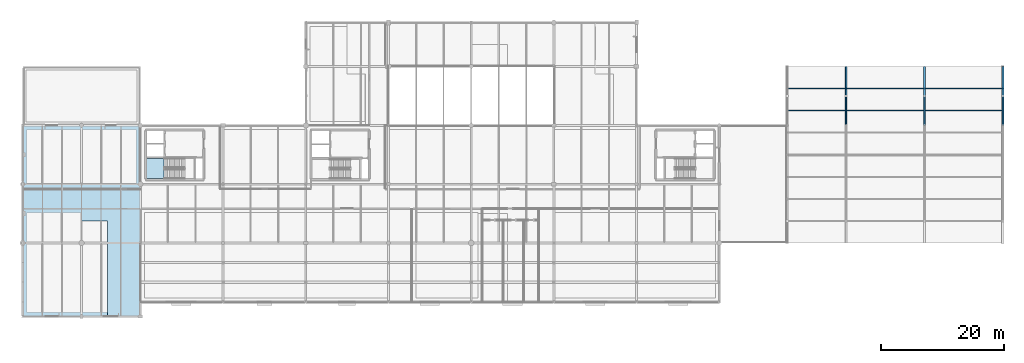
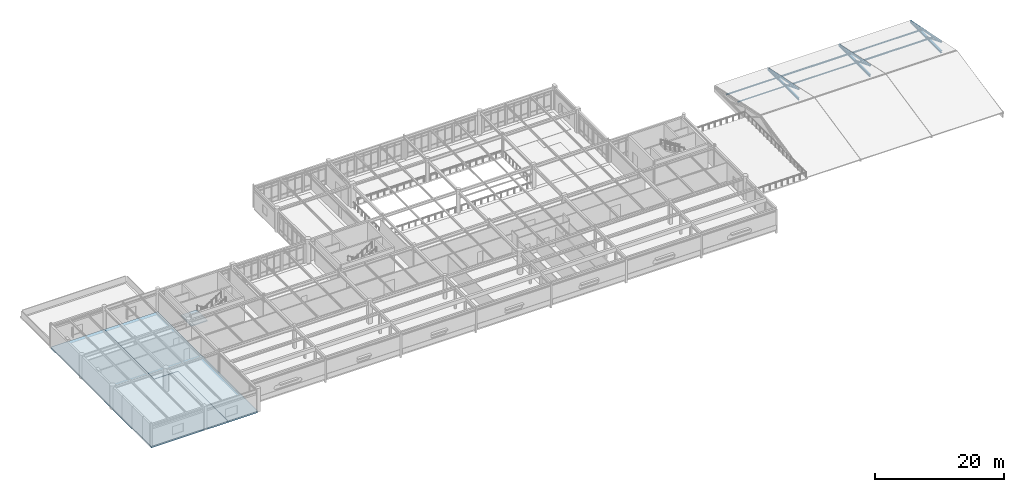
# One storey, part 37 of 61: 15 members, 3 slabs, 1 element without a shape of its own.
"""IFC4 building model written with IfcOpenShell, lengths in metres."""

from ifc_helpers import new_model, si_unit, direction, frame, origin, origin_2d, place, context, subcontext, project, spatial, polyline, hollow_rectangle, i_section, outline, extrude, material, layer, layer_set, material_profile, profile_set, type_object, element, aggregate, save


model = new_model("IFC4")

# Units and contexts
model_context = context("Model", 3, precision=1e-05, world=origin(), true_north=direction((0.0, 1.0)))
body_context = subcontext(model_context, "Body", "Model", "MODEL_VIEW")
ifc_project = project(units=[si_unit("LENGTHUNIT", "METRE"), si_unit("AREAUNIT", "SQUARE_METRE"), si_unit("VOLUMEUNIT", "CUBIC_METRE"), si_unit("PLANEANGLEUNIT", "RADIAN"), si_unit("MASSUNIT", "GRAM", prefix="KILO")], contexts=[model_context])

# Site, building, storey
site_placement = place(None, origin())
site = spatial("IfcSite", under=ifc_project, at=site_placement, CompositionType="ELEMENT")
building_placement = place(site_placement, origin())
building = spatial("IfcBuilding", under=site, at=building_placement, Name="Fikremerkos Civic Library", CompositionType="ELEMENT")
storey_placement = place(building_placement, frame((0.0, 0.0, 14.39990234375)))
storey = spatial("IfcBuildingStorey", under=building, at=storey_placement, Name="L03", CompositionType="ELEMENT", Elevation=14.39990234375)

# Members
ifc_material_1 = material(Name="Steel S355", Category="steel")
ifc_material_profile_1 = material_profile(ifc_material_1, hollow_rectangle(XDim=0.199951171875, YDim=0.199951171875, WallThickness=0.010009765625, at=origin_2d()), Name="SHS 200x200x10")
ifc_profile_set_1 = profile_set([ifc_material_profile_1], Name="Steel S355")
member_type_1 = type_object("IfcMemberType", Name="Diagonal brace BRC-02 SHS 200x200x10", PredefinedType="BRACE", material=ifc_profile_set_1)
for number, where, z_axis, x_axis, name in (
    (1, (134.39990234375, 36.0, 0.0), (0.0, -0.929765812097, 0.368151510461), (1.0, 0.0, 0.0), "Auditorium roof truss diagonal web BRC-02 X=134.4 #4"),
    (2, (147.199951171875, 36.0, 0.0), (0.0, -0.929765812097, 0.368151510461), (1.0, 0.0, 0.0), "Auditorium roof truss diagonal web BRC-02 X=147.2 #4"),
    (3, (160.0, 36.0, 0.0), (0.0, -0.929765812097, 0.368151510461), (1.0, 0.0, 0.0), "Auditorium roof truss diagonal web BRC-02 X=160.0 #4"),
):
    element("IfcMember", number, at=place(storey_placement, frame(where, z_axis=z_axis, x_axis=x_axis)), inside=storey, type_object=member_type_1, Name=name, PredefinedType="BRACE", context=body_context, shape_type="SweptSolid", body=[
        extrude(hollow_rectangle(XDim=0.199951171875, YDim=0.199951171875, WallThickness=0.010009765625, at=origin_2d()), origin(), (0.0, 0.0, 1.0), 5.16259765625),
    ])
ifc_material_profile_2 = material_profile(ifc_material_1, i_section(OverallWidth=0.1201171875, OverallDepth=0.239990234375, WebThickness=0.006103515625, FlangeThickness=0.009765625, FilletRadius=0.014892578125, at=origin_2d()), Name="IPE 240")
ifc_profile_set_2 = profile_set([ifc_material_profile_2], Name="Steel S355")
member_type_2 = type_object("IfcMemberType", Name="Roof purlin PUR-01 IPE 240", PredefinedType="PURLIN", material=ifc_profile_set_2)
member_1_placement = place(storey_placement, frame((124.800048828125, 37.213623046875, 0.59033203125), z_axis=(1.0, 0.0, 0.0), x_axis=(0.0, 1.0, 0.0)))
element("IfcMember", 4, at=member_1_placement, inside=storey, type_object=member_type_2, Name="Roof purlin PUR-01 V3 bay 1.2.3", PredefinedType="PURLIN", context=body_context, shape_type="SweptSolid", body=[
    extrude(i_section(OverallWidth=0.1201171875, OverallDepth=0.239990234375, WebThickness=0.006103515625, FlangeThickness=0.009765625, FilletRadius=0.014892578125, at=origin_2d()), origin(), (0.0, 0.0, 1.0), 9.599853515625),
])
member_2_placement = place(storey_placement, frame((134.39990234375, 33.62744140625, 1.35546875), z_axis=(1.0, 0.0, 0.0), x_axis=(0.0, 1.0, 0.0)))
element("IfcMember", 5, at=member_2_placement, inside=storey, type_object=member_type_2, Name="Roof purlin PUR-01 V3 bay 2.2.2", PredefinedType="PURLIN", context=body_context, shape_type="SweptSolid", body=[
    extrude(i_section(OverallWidth=0.1201171875, OverallDepth=0.239990234375, WebThickness=0.006103515625, FlangeThickness=0.009765625, FilletRadius=0.014892578125, at=origin_2d()), origin(), (0.0, 0.0, 1.0), 12.800048828125),
])
ifc_material_profile_3 = material_profile(ifc_material_1, i_section(OverallWidth=0.110107421875, OverallDepth=0.219970703125, WebThickness=0.005859375, FlangeThickness=0.00927734375, FilletRadius=0.011962890625, at=origin_2d()), Name="IPE 220")
ifc_profile_set_3 = profile_set([ifc_material_profile_3], Name="Steel S355")
member_type_3 = type_object("IfcMemberType", Name="Roof purlin PUR-02 IPE 220", PredefinedType="PURLIN", material=ifc_profile_set_3)
for number, where, z_axis, x_axis, name in (
    (6, (134.39990234375, 37.213623046875, 0.600341796875), (1.0, 0.0, 0.0), (0.0, 1.0, 0.0), "Roof purlin PUR-02 V3 bay 2.2.3"),
    (7, (147.199951171875, 33.62744140625, 1.365478515625), (1.0, 0.0, 0.0), (0.0, 1.0, 0.0), "Roof purlin PUR-02 V3 bay 3.2.2"),
):
    element("IfcMember", number, at=place(storey_placement, frame(where, z_axis=z_axis, x_axis=x_axis)), inside=storey, type_object=member_type_3, Name=name, PredefinedType="PURLIN", context=body_context, shape_type="SweptSolid", body=[
        extrude(i_section(OverallWidth=0.110107421875, OverallDepth=0.219970703125, WebThickness=0.005859375, FlangeThickness=0.00927734375, FilletRadius=0.011962890625, at=origin_2d()), origin(), (0.0, 0.0, 1.0), 12.800048828125),
    ])
ifc_material_profile_4 = material_profile(ifc_material_1, i_section(OverallWidth=0.10009765625, OverallDepth=0.199951171875, WebThickness=0.005615234375, FlangeThickness=0.008544921875, FilletRadius=0.011962890625, at=origin_2d()), Name="IPE 200")
ifc_profile_set_4 = profile_set([ifc_material_profile_4], Name="Steel S355")
member_type_4 = type_object("IfcMemberType", Name="Roof purlin PUR-03 IPE 200", PredefinedType="PURLIN", material=ifc_profile_set_4)
member_3_placement = place(storey_placement, frame((147.199951171875, 37.213623046875, 0.6103515625), z_axis=(1.0, 0.0, 0.0), x_axis=(0.0, 1.0, 0.0)))
element("IfcMember", 8, at=member_3_placement, inside=storey, type_object=member_type_4, Name="Roof purlin PUR-03 V3 bay 3.2.3", PredefinedType="PURLIN", context=body_context, shape_type="SweptSolid", body=[
    extrude(i_section(OverallWidth=0.10009765625, OverallDepth=0.199951171875, WebThickness=0.005615234375, FlangeThickness=0.008544921875, FilletRadius=0.011962890625, at=origin_2d()), origin(), (0.0, 0.0, 1.0), 12.800048828125),
])
ifc_material_profile_5 = material_profile(ifc_material_1, hollow_rectangle(XDim=0.10009765625, YDim=0.199951171875, WallThickness=0.008056640625, at=origin_2d()), Name="RHS 200x100x8")
ifc_profile_set_5 = profile_set([ifc_material_profile_5], Name="Steel S355")
member_type_5 = type_object("IfcMemberType", Name="Roof purlin PUR-05 RHS 200x100x8", PredefinedType="PURLIN", material=ifc_profile_set_5)
member_4_placement = place(storey_placement, frame((124.800048828125, 33.62744140625, 1.37548828125), z_axis=(1.0, 0.0, 0.0), x_axis=(0.0, 1.0, 0.0)))
element("IfcMember", 9, at=member_4_placement, inside=storey, type_object=member_type_5, Name="Roof purlin PUR-05 V3 bay 1.2.2", PredefinedType="PURLIN", context=body_context, shape_type="SweptSolid", body=[
    extrude(hollow_rectangle(XDim=0.10009765625, YDim=0.199951171875, WallThickness=0.008056640625, at=origin_2d()), origin(), (0.0, 0.0, 1.0), 9.599853515625),
])
ifc_material_profile_6 = material_profile(ifc_material_1, i_section(OverallWidth=0.300048828125, OverallDepth=0.39990234375, WebThickness=0.013427734375, FlangeThickness=0.02392578125, FilletRadius=0.027099609375, at=origin_2d()), Name="HEB 400")
ifc_profile_set_6 = profile_set([ifc_material_profile_6], Name="Steel S355")
member_type_6 = type_object("IfcMemberType", Name="Truss chord CHD-01 HEB 400", PredefinedType="CHORD", material=ifc_profile_set_6)
for number, where, z_axis, x_axis, name in (
    (10, (134.39990234375, 31.199951171875, 0.0), (0.0, 1.0, 0.0), (-1.0, 0.0, 0.0), "Auditorium roof truss bottom chord CHD-01 X=134.4 #2"),
    (11, (147.199951171875, 31.199951171875, 0.0), (0.0, 1.0, 0.0), (-1.0, 0.0, 0.0), "Auditorium roof truss bottom chord CHD-01 X=147.2 #2"),
    (12, (160.0, 31.199951171875, 0.0), (0.0, 1.0, 0.0), (-1.0, 0.0, 0.0), "Auditorium roof truss bottom chord CHD-01 X=160.0 #2"),
):
    element("IfcMember", number, at=place(storey_placement, frame(where, z_axis=z_axis, x_axis=x_axis)), inside=storey, type_object=member_type_6, Name=name, PredefinedType="CHORD", context=body_context, shape_type="SweptSolid", body=[
        extrude(i_section(OverallWidth=0.300048828125, OverallDepth=0.39990234375, WebThickness=0.013427734375, FlangeThickness=0.02392578125, FilletRadius=0.027099609375, at=origin_2d()), origin(), (0.0, 0.0, 1.0), 9.60009765625),
    ])
ifc_material_profile_7 = material_profile(ifc_material_1, hollow_rectangle(XDim=0.260009765625, YDim=0.260009765625, WallThickness=0.01416015625, at=origin_2d()), Name="SHS 260x260x14.2")
ifc_profile_set_7 = profile_set([ifc_material_profile_7], Name="Steel S355")
member_type_7 = type_object("IfcMemberType", Name="Truss chord CHD-03 SHS 260x260x14.2", PredefinedType="CHORD", material=ifc_profile_set_7)
for number, where, z_axis, x_axis, name in (
    (13, (134.39990234375, 31.199951171875, 1.900634765625), (0.0, 0.980959745125, -0.194211169722), (-1.0, 0.0, 0.0), "Auditorium roof truss top chord CHD-03 X=134.4 #4"),
    (14, (147.199951171875, 31.199951171875, 1.900634765625), (0.0, 0.980959745125, -0.194211169722), (-1.0, 0.0, 0.0), "Auditorium roof truss top chord CHD-03 X=147.2 #4"),
    (15, (160.0, 31.199951171875, 1.900634765625), (0.0, 0.980959745125, -0.194211169722), (-1.0, 0.0, 0.0), "Auditorium roof truss top chord CHD-03 X=160.0 #4"),
):
    element("IfcMember", number, at=place(storey_placement, frame(where, z_axis=z_axis, x_axis=x_axis)), inside=storey, type_object=member_type_7, Name=name, PredefinedType="CHORD", context=body_context, shape_type="SweptSolid", body=[
        extrude(hollow_rectangle(XDim=0.260009765625, YDim=0.260009765625, WallThickness=0.01416015625, at=origin_2d()), origin(), (0.0, 0.0, 1.0), 9.786376953125),
    ])

# Stair, slab
ifc_material_2 = material(Name="Concrete C40/50", Category="concrete")
stair_type = type_object("IfcStairType", Name="Half turn stair ST-HT-03 W1550 H4500", PredefinedType="HALF_TURN_STAIR", material=ifc_material_2)
stair_placement = place(storey_placement, origin())
stair = element("IfcStair", 16, at=stair_placement, inside=storey, type_object=stair_type, Name="L03 ST-K1", PredefinedType="HALF_TURN_STAIR")
ifc_layer_1 = layer(ifc_material_2, 0.199951171875, Name="Concrete C40/50")
ifc_layer_set_1 = layer_set([ifc_layer_1], Name="Concrete C40/50")
slab_type_1 = type_object("IfcSlabType", Name="Stair landing slab SLS-01 200", PredefinedType="LANDING", material=ifc_layer_set_1)
slab_1_placement = place(storey_placement, frame((0.0, 0.0, 2.050048828125)))
slab_1 = element("IfcSlab", 17, at=slab_1_placement, type_object=slab_type_1, Name="ST-K1 landing 1", PredefinedType="LANDING", context=body_context, shape_type="SweptSolid", body=[
    extrude(outline(polyline([(23.090087890625, 25.800048828125), (20.199951171875, 25.800048828125), (20.199951171875, 22.5), (23.090087890625, 22.5), (23.090087890625, 25.800048828125)])), origin(), (0.0, 0.0, 1.0), 0.199951171875),
])
aggregate(stair, [slab_1])

# Slabs
ifc_layer_2 = layer(ifc_material_2, 0.280029296875, Name="Concrete C40/50")
ifc_layer_set_2 = layer_set([ifc_layer_2], Name="Concrete C40/50")
slab_type_2 = type_object("IfcSlabType", Name="Suspended floor slab SFS-04 280", PredefinedType="FLOOR", material=ifc_layer_set_2)
slab_2_placement = place(storey_placement, frame((0.0, 0.0, -0.27978515625)))
element("IfcSlab", 18, at=slab_2_placement, inside=storey, type_object=slab_type_2, Name="Floor slab SFS-04 SLB-L03-V5-S-1L1", PredefinedType="FLOOR", context=body_context, shape_type="SweptSolid", body=[
    extrude(outline(polyline([(0.0, 0.0), (13.820068359375, 0.0), (13.820068359375, 15.595947265625), (9.595947265625, 15.595947265625), (9.595947265625, 31.199951171875), (0.0, 31.199951171875), (0.0, 0.0)])), origin(), (0.0, 0.0, 1.0), 0.27978515625),
])
slab_3_placement = place(storey_placement, frame((0.0, 0.0, -0.27978515625)))
element("IfcSlab", 19, at=slab_3_placement, inside=storey, type_object=slab_type_2, Name="Floor slab SFS-04 SLB-L03-V5-S-1L2", PredefinedType="FLOOR", context=body_context, shape_type="SweptSolid", body=[
    extrude(outline(polyline([(13.827880859375, 0.0), (19.199951171875, 0.0), (19.199951171875, 31.199951171875), (9.60400390625, 31.199951171875), (9.60400390625, 15.60400390625), (13.827880859375, 15.60400390625), (13.827880859375, 0.0)])), origin(), (0.0, 0.0, 1.0), 0.27978515625),
])

save(model, "model.ifc")
